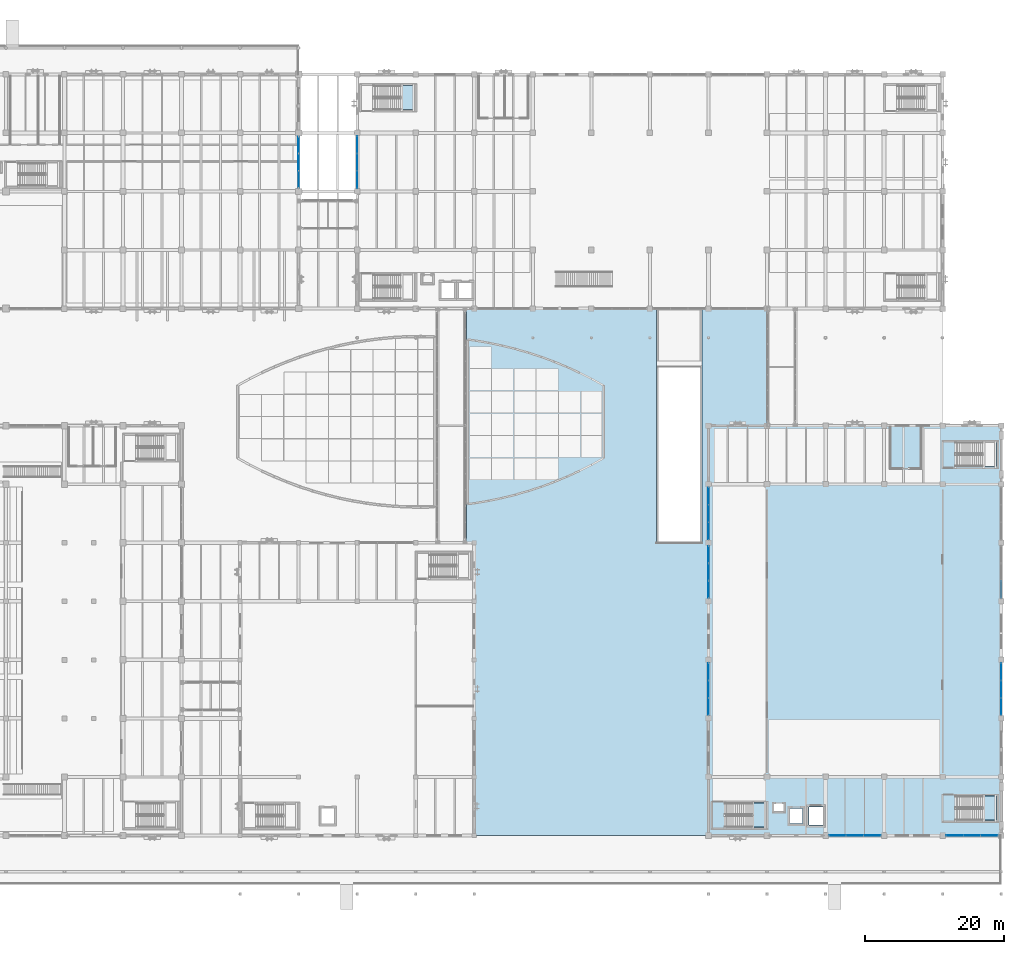
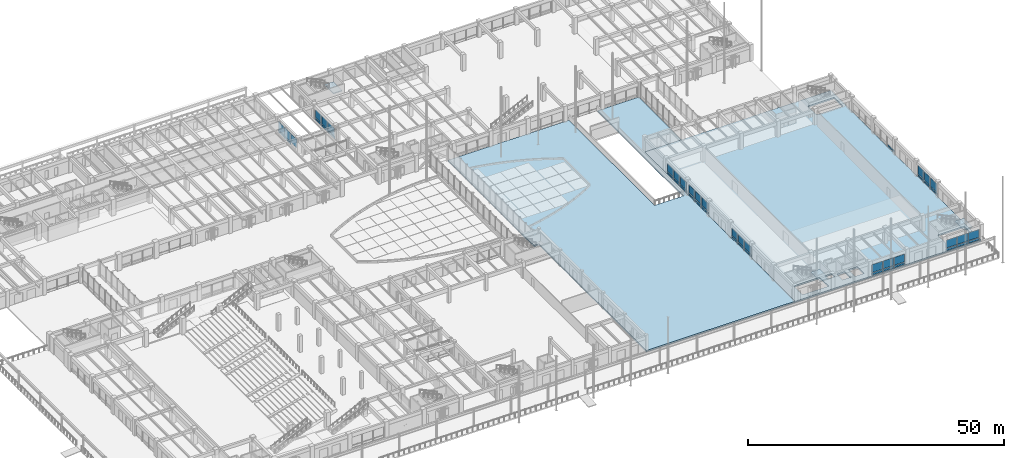
# One storey, part 69 of 135: 48 plates, 5 slabs, 12 elements without a shape of their own.
"""IFC4 building model written with IfcOpenShell, lengths in metres."""

import ifcopenshell
import ifcopenshell.guid

model = None  # the IFC model being written
_history = None  # IfcOwnerHistory: only IFC2X3 demands one
_inside = {}  # id of a spatial element -> (the spatial element, [elements in it])
_under = {}  # id of a project, library or spatial element -> (it, [spatial elements below it])
_declared = {}  # id of a project -> (the project, [libraries it declares])
_typed = {}  # id of a type object -> (the type object, [elements of that type])
_made_of = {}  # id of a material, layer set ... -> (it, [elements and type objects made of it])


def new_model(schema):
    """Start an empty IFC model of exactly this schema.

    Asked for "IFC4X3", IfcOpenShell would pick the latest addendum, in which some entities
    have other attributes; the version numbers below select the first issue.
    IFC2X3 requires an IfcOwnerHistory on every rooted entity: one is made here for all.
    """
    global model, _history
    if schema == "IFC4X3":
        model = ifcopenshell.file(schema_version=(4, 3, 0, 0))
    else:
        model = ifcopenshell.file(schema=schema)
    _inside.clear()
    _under.clear()
    _declared.clear()
    _typed.clear()
    _made_of.clear()
    _history = None
    if model.schema == "IFC2X3":
        org = make("IfcOrganization", Name="unknown")
        user = make(
            "IfcPersonAndOrganization",
            ThePerson=make("IfcPerson", FamilyName="unknown"),
            TheOrganization=org,
        )
        app = make(
            "IfcApplication",
            ApplicationDeveloper=org,
            Version="unknown",
            ApplicationFullName="unknown",
            ApplicationIdentifier="unknown",
        )
        _history = make(
            "IfcOwnerHistory",
            OwningUser=user,
            OwningApplication=app,
            ChangeAction="ADDED",
            CreationDate=0,
        )
    return model


def make(cls, **values):
    """One entity of the class cls with the attributes given. An attribute that is None is left unset."""
    return model.create_entity(
        cls, **{name: value for name, value in values.items() if value is not None}
    )


def rooted(cls, **values):
    """An entity with a GlobalId (a new one), such as an element, a storey or a relation."""
    return make(cls, GlobalId=ifcopenshell.guid.new(), OwnerHistory=_history, **values)


def si_unit(unit_type, name, prefix=None):
    """IfcSIUnit, for example si_unit("LENGTHUNIT", "METRE", prefix="MILLI")."""
    return make("IfcSIUnit", UnitType=unit_type, Prefix=prefix, Name=name)


def assignment(units):
    """IfcUnitAssignment: the units of a project."""
    return None if units is None else make("IfcUnitAssignment", Units=units)


def point(xyz):
    """IfcCartesianPoint."""
    return None if xyz is None else make("IfcCartesianPoint", Coordinates=xyz)


def direction(xyz):
    """IfcDirection."""
    return None if xyz is None else make("IfcDirection", DirectionRatios=xyz)


def frame(location, z_axis=None, x_axis=None):
    """IfcAxis2Placement3D, a coordinate frame: its origin and axes. An axis left out is left unset."""
    return make(
        "IfcAxis2Placement3D",
        Location=point(location),
        Axis=direction(z_axis),
        RefDirection=direction(x_axis),
    )


def frame_2d(location, x_axis=None):
    """IfcAxis2Placement2D, a coordinate frame in the plane: its origin and x axis."""
    return make(
        "IfcAxis2Placement2D", Location=point(location), RefDirection=direction(x_axis)
    )


def origin():
    """The frame at (0, 0, 0) with its axes left unset."""
    return frame((0.0, 0.0, 0.0))


def origin_2d():
    """The frame at (0, 0) in the plane with its x axis left unset."""
    return frame_2d((0.0, 0.0))


def place(relative_to, where):
    """IfcLocalPlacement: puts the frame where relative to a parent placement (None: the world)."""
    return make(
        "IfcLocalPlacement", PlacementRelTo=relative_to, RelativePlacement=where
    )


def context(
    kind, dimensions, precision=None, world=None, true_north=None, identifier=None
):
    """IfcGeometricRepresentationContext, for example the 3D "Model" context."""
    return make(
        "IfcGeometricRepresentationContext",
        ContextIdentifier=identifier,
        ContextType=kind,
        CoordinateSpaceDimension=dimensions,
        Precision=precision,
        WorldCoordinateSystem=world,
        TrueNorth=true_north,
    )


def subcontext(parent, identifier, kind, view, scale=None):
    """IfcGeometricRepresentationSubContext, for example "Body" below "Model"."""
    return make(
        "IfcGeometricRepresentationSubContext",
        ContextIdentifier=identifier,
        ContextType=kind,
        ParentContext=parent,
        TargetScale=scale,
        TargetView=view,
    )


def project(units=None, contexts=None):
    """IfcProject with its units and contexts."""
    return rooted(
        "IfcProject",
        Name="project",
        RepresentationContexts=contexts,
        UnitsInContext=assignment(units),
    )


def spatial(cls, under=None, at=None, **own):
    """A site, building, storey or space (cls), placed at a placement, below another one or the project."""
    s = rooted(cls, ObjectPlacement=at, **own)
    if under is not None:
        _under.setdefault(under.id(), (under, []))[1].append(s)
    return s


def polyline(points):
    """IfcPolyline through the points."""
    return make("IfcPolyline", Points=[point(p) for p in points])


def profile(cls, at=None, kind="AREA", **sizes):
    """A parametric profile (cls). Its sizes go by their IFC names, for example OverallWidth=200.0."""
    return make(cls, ProfileType=kind, Position=at, **sizes)


def rectangle(**sizes):
    """IfcRectangleProfileDef."""
    return profile("IfcRectangleProfileDef", **sizes)


def outline(outer, holes=None, kind="AREA"):
    """IfcArbitraryClosedProfileDef: a profile drawn as a closed curve; with holes, ...WithVoids."""
    if holes is None:
        return make("IfcArbitraryClosedProfileDef", ProfileType=kind, OuterCurve=outer)
    return make(
        "IfcArbitraryProfileDefWithVoids",
        ProfileType=kind,
        OuterCurve=outer,
        InnerCurves=holes,
    )


def extrude(swept, where, along, depth):
    """IfcExtrudedAreaSolid: the profile swept, set in the frame where, extruded along a direction by depth."""
    return make(
        "IfcExtrudedAreaSolid",
        SweptArea=swept,
        Position=where,
        ExtrudedDirection=direction(along),
        Depth=depth,
    )


def shape(context_of_items, identifier, shape_type, items):
    """IfcShapeRepresentation: the items that make up one representation, for example the "Body"."""
    return make(
        "IfcShapeRepresentation",
        ContextOfItems=context_of_items,
        RepresentationIdentifier=identifier,
        RepresentationType=shape_type,
        Items=items,
    )


def material(Name=None, Category=None):
    """IfcMaterial."""
    return make("IfcMaterial", Name=Name, Category=Category)


def layer(
    of_material, thickness, ventilated=None, Name=None, Category=None, Priority=None
):
    """IfcMaterialLayer: one layer of a wall or slab, of a material (None: an air gap)."""
    return make(
        "IfcMaterialLayer",
        Material=of_material,
        LayerThickness=thickness,
        IsVentilated=ventilated,
        Name=Name,
        Category=Category,
        Priority=Priority,
    )


def layer_set(layers, Name=None):
    """IfcMaterialLayerSet."""
    return make("IfcMaterialLayerSet", MaterialLayers=layers, LayerSetName=Name)


def made_of(thing, what):
    """Note that an element or type object is made of a material, layer set ...; save() writes the relation."""
    if what is not None:
        _made_of.setdefault(what.id(), (what, []))[1].append(thing)
    return thing


def type_object(cls, material=None, **own):
    """A type object (cls), such as IfcWallType, which elements share."""
    return made_of(rooted(cls, **own), material)


def element(
    cls,
    number,
    at=None,
    inside=None,
    cuts=None,
    type_object=None,
    material=None,
    context=None,
    identifier="Body",
    shape_type=None,
    held_by="IfcProductDefinitionShape",
    body=None,
    shapes=None,
    **own,
):
    """One element of the class cls, such as IfcWall. Its Tag is "e" and its number.

    at: its placement. inside: the storey or other place that contains it. cuts: it is an
    opening in that element (IfcRelVoidsElement). A single representation is given by context,
    identifier, shape_type and body (its items); several are given by shapes. held_by: the class
    of the entity that holds the representations. save() writes the other relations.
    """
    e = rooted(cls, Tag="e%d" % number, ObjectPlacement=at, **own)
    if body is not None:
        shapes = [shape(context, identifier, shape_type, body)]
    if shapes is not None:
        e.Representation = make(held_by, Representations=shapes)
    if inside is not None:
        _inside.setdefault(inside.id(), (inside, []))[1].append(e)
    if cuts is not None:
        rooted(
            "IfcRelVoidsElement", RelatingBuildingElement=cuts, RelatedOpeningElement=e
        )
    if type_object is not None:
        _typed.setdefault(type_object.id(), (type_object, []))[1].append(e)
    return made_of(e, material)


def aggregate(whole, parts):
    """IfcRelAggregates: a whole, such as a stair, and the parts it consists of."""
    return rooted("IfcRelAggregates", RelatingObject=whole, RelatedObjects=parts)


def save(model, path):
    """Write the relations noted so far, then the file.

    IfcRelAggregates (storeys below a building ...), IfcRelContainedInSpatialStructure (elements
    in a storey), IfcRelDefinesByType, IfcRelAssociatesMaterial and IfcRelDeclares: one each for
    every whole, place, type object, material and project.
    """
    for whole, parts in _under.values():
        aggregate(whole, parts)
    for where, things in _inside.values():
        rooted(
            "IfcRelContainedInSpatialStructure",
            RelatedElements=things,
            RelatingStructure=where,
        )
    for kind, things in _typed.values():
        rooted("IfcRelDefinesByType", RelatedObjects=things, RelatingType=kind)
    for what, things in _made_of.values():
        rooted("IfcRelAssociatesMaterial", RelatedObjects=things, RelatingMaterial=what)
    for by, libraries in _declared.values():
        rooted("IfcRelDeclares", RelatingContext=by, RelatedDefinitions=libraries)
    model.write(path)


model = new_model("IFC4")

# Units and contexts
model_context = context("Model", 3, precision=1e-05, world=origin(), true_north=direction((0.0, 1.0)))
body_context = subcontext(model_context, "Body", "Model", "MODEL_VIEW")
ifc_project = project(units=[si_unit("LENGTHUNIT", "METRE"), si_unit("AREAUNIT", "SQUARE_METRE"), si_unit("VOLUMEUNIT", "CUBIC_METRE"), si_unit("PLANEANGLEUNIT", "RADIAN"), si_unit("MASSUNIT", "GRAM", prefix="KILO")], contexts=[model_context])

# Site, building, storey
site_placement = place(None, origin())
site = spatial("IfcSite", under=ifc_project, at=site_placement, CompositionType="ELEMENT")
building_placement = place(site_placement, origin())
building = spatial("IfcBuilding", under=site, at=building_placement, Name="Cumbredor Promenade Congress Hotel", CompositionType="ELEMENT")
storey_placement = place(building_placement, origin())
storey = spatial("IfcBuildingStorey", under=building, at=storey_placement, Name="L00", CompositionType="ELEMENT", Elevation=0.0)

# Stair, slab
ifc_material_1 = material(Name="Concrete C40/50", Category="concrete")
stair_type = type_object("IfcStairType", Name="Protected Dog-Leg Exit Stair ST-T3 1650mm", PredefinedType="HALF_TURN_STAIR", material=ifc_material_1)
stair_1_placement = place(storey_placement, origin())
stair_1 = element("IfcStair", 1, at=stair_1_placement, inside=storey, type_object=stair_type, Name="L00 Protected Exit Stair ST-08", PredefinedType="HALF_TURN_STAIR")
ifc_layer_1 = layer(ifc_material_1, 0.199951171875, Name="Concrete C40/50", Category="concrete")
ifc_layer_set_1 = layer_set([ifc_layer_1], Name="Concrete C40/50")
slab_type_1 = type_object("IfcSlabType", Name="Concrete Stair Landing Slab 200mm", PredefinedType="LANDING", material=ifc_layer_set_1)
slab_1_placement = place(storey_placement, frame((0.0, 0.0, 1.760009765625)))
slab_1 = element("IfcSlab", 2, at=slab_1_placement, type_object=slab_type_1, Name="ST-08 landing 1", PredefinedType="LANDING", context=body_context, shape_type="SweptSolid", body=[
    extrude(outline(polyline([(149.050048828125, 9.60009765625), (151.050048828125, 9.60009765625), (151.050048828125, 13.050048828125), (149.050048828125, 13.050048828125), (149.050048828125, 9.60009765625)])), origin(), (0.0, 0.0, 1.0), 0.199951171875),
])
aggregate(stair_1, [slab_1])

stair_2_placement = place(storey_placement, origin())
stair_2 = element("IfcStair", 3, at=stair_2_placement, inside=storey, type_object=stair_type, Name="L00 Protected Exit Stair ST-09", PredefinedType="HALF_TURN_STAIR")
slab_2_placement = place(storey_placement, frame((0.0, 0.0, 1.760009765625)))
slab_2 = element("IfcSlab", 4, at=slab_2_placement, type_object=slab_type_1, Name="ST-09 landing 1", PredefinedType="LANDING", context=body_context, shape_type="SweptSolid", body=[
    extrude(outline(polyline([(182.14990234375, 10.60009765625), (184.14990234375, 10.60009765625), (184.14990234375, 14.050048828125), (182.14990234375, 14.050048828125), (182.14990234375, 10.60009765625)])), origin(), (0.0, 0.0, 1.0), 0.199951171875),
])
aggregate(stair_2, [slab_2])

stair_3_placement = place(storey_placement, origin())
stair_3 = element("IfcStair", 5, at=stair_3_placement, inside=storey, type_object=stair_type, Name="L00 Protected Exit Stair ST-15", PredefinedType="HALF_TURN_STAIR")
slab_3_placement = place(storey_placement, frame((0.0, 0.0, 1.760009765625)))
slab_3 = element("IfcSlab", 6, at=slab_3_placement, type_object=slab_type_1, Name="ST-15 landing 1", PredefinedType="LANDING", context=body_context, shape_type="SweptSolid", body=[
    extrude(outline(polyline([(98.64990234375, 112.550048828125), (100.64990234375, 112.550048828125), (100.64990234375, 116.0), (98.64990234375, 116.0), (98.64990234375, 112.550048828125)])), origin(), (0.0, 0.0, 1.0), 0.199951171875),
])
aggregate(stair_3, [slab_3])

# Curtain wall, plates
ifc_material_2 = material(Name="Thermally broken anodized aluminium and low-E glass", Category="aluminium")
curtain_wall_type = type_object("IfcCurtainWallType", Name="Unitised Grand Foyer Curtain Wall CW-04", PredefinedType="NOTDEFINED", material=ifc_material_2)
curtain_wall_1_placement = place(storey_placement, origin())
curtain_wall_1 = element("IfcCurtainWall", 7, at=curtain_wall_1_placement, inside=storey, type_object=curtain_wall_type, Name="L00 Grand Ballroom Pavilion South Curtain Wall 5", PredefinedType="NOTDEFINED")
ifc_material_3 = material(Name="Laminated low-E solar-control glass", Category="glass")
ifc_layer_2 = layer(ifc_material_3, 0.028076171875, Name="Laminated low-E solar-control glass", Category="glass")
ifc_layer_set_2 = layer_set([ifc_layer_2], Name="Laminated low-E solar-control glass")
plate_type_1 = type_object("IfcPlateType", Name="Glazed Vision Panel PNL-01", PredefinedType="CURTAIN_PANEL", material=ifc_layer_set_2)
plate_1_placement = place(storey_placement, frame((178.103271484375, 8.39990234375, 0.78515625), z_axis=(0.0, 0.0, 1.0), x_axis=(1.0, 0.0, 0.0)))
plate_1 = element("IfcPlate", 8, at=plate_1_placement, type_object=plate_type_1, Name="L00 Grand Ballroom Pavilion South Curtain Wall 5 Glazing Panel 1.2", PredefinedType="CURTAIN_PANEL", context=body_context, shape_type="SweptSolid", body=[
    extrude(rectangle(XDim=2.431640625, YDim=0.028076171875, at=origin_2d()), origin(), (0.0, 0.0, 1.0), 1.909912109375),
])
plate_2_placement = place(storey_placement, frame((180.60009765625, 8.39990234375, 0.78515625), z_axis=(0.0, 0.0, 1.0), x_axis=(1.0, 0.0, 0.0)))
plate_2 = element("IfcPlate", 9, at=plate_2_placement, type_object=plate_type_1, Name="L00 Grand Ballroom Pavilion South Curtain Wall 5 Glazing Panel 2.2", PredefinedType="CURTAIN_PANEL", context=body_context, shape_type="SweptSolid", body=[
    extrude(rectangle(XDim=2.431640625, YDim=0.028076171875, at=origin_2d()), origin(), (0.0, 0.0, 1.0), 1.909912109375),
])
plate_3_placement = place(storey_placement, frame((183.0966796875, 8.39990234375, 0.78515625), z_axis=(0.0, 0.0, 1.0), x_axis=(1.0, 0.0, 0.0)))
plate_3 = element("IfcPlate", 10, at=plate_3_placement, type_object=plate_type_1, Name="L00 Grand Ballroom Pavilion South Curtain Wall 5 Glazing Panel 3.2", PredefinedType="CURTAIN_PANEL", context=body_context, shape_type="SweptSolid", body=[
    extrude(rectangle(XDim=2.431640625, YDim=0.028076171875, at=origin_2d()), origin(), (0.0, 0.0, 1.0), 1.909912109375),
])

curtain_wall_2_placement = place(storey_placement, origin())
curtain_wall_2 = element("IfcCurtainWall", 11, at=curtain_wall_2_placement, inside=storey, type_object=curtain_wall_type, Name="L00 Grand Ballroom Pavilion West Curtain Wall 6", PredefinedType="NOTDEFINED")
plate_4_placement = place(storey_placement, frame((142.800048828125, 52.103515625, 0.78515625), z_axis=(0.0, 0.0, 1.0), x_axis=(0.0, 1.0, 0.0)))
plate_4 = element("IfcPlate", 12, at=plate_4_placement, type_object=plate_type_1, Name="L00 Grand Ballroom Pavilion West Curtain Wall 6 Glazing Panel 1.2", PredefinedType="CURTAIN_PANEL", context=body_context, shape_type="SweptSolid", body=[
    extrude(rectangle(XDim=2.431640625, YDim=0.028076171875, at=origin_2d()), origin(), (0.0, 0.0, 1.0), 1.860107421875),
])
plate_5_placement = place(storey_placement, frame((142.800048828125, 54.60009765625, 0.78515625), z_axis=(0.0, 0.0, 1.0), x_axis=(0.0, 1.0, 0.0)))
plate_5 = element("IfcPlate", 13, at=plate_5_placement, type_object=plate_type_1, Name="L00 Grand Ballroom Pavilion West Curtain Wall 6 Glazing Panel 2.2", PredefinedType="CURTAIN_PANEL", context=body_context, shape_type="SweptSolid", body=[
    extrude(rectangle(XDim=2.431640625, YDim=0.028076171875, at=origin_2d()), origin(), (0.0, 0.0, 1.0), 1.860107421875),
])
plate_6_placement = place(storey_placement, frame((142.800048828125, 57.0966796875, 0.78515625), z_axis=(0.0, 0.0, 1.0), x_axis=(0.0, 1.0, 0.0)))
plate_6 = element("IfcPlate", 14, at=plate_6_placement, type_object=plate_type_1, Name="L00 Grand Ballroom Pavilion West Curtain Wall 6 Glazing Panel 3.2", PredefinedType="CURTAIN_PANEL", context=body_context, shape_type="SweptSolid", body=[
    extrude(rectangle(XDim=2.431640625, YDim=0.028076171875, at=origin_2d()), origin(), (0.0, 0.0, 1.0), 1.860107421875),
])

curtain_wall_3_placement = place(storey_placement, origin())
curtain_wall_3 = element("IfcCurtainWall", 15, at=curtain_wall_3_placement, inside=storey, type_object=curtain_wall_type, Name="L00 Pre-Function and Breakout Meeting Forum West Curtain Wall 3", PredefinedType="NOTDEFINED")
plate_7_placement = place(storey_placement, frame((92.39990234375, 102.50341796875, 0.78515625), z_axis=(0.0, 0.0, 1.0), x_axis=(0.0, 1.0, 0.0)))
plate_7 = element("IfcPlate", 16, at=plate_7_placement, type_object=plate_type_1, Name="L00 Pre-Function and Breakout Meeting Forum West Curtain Wall 3 Glazing Panel 1.2", PredefinedType="CURTAIN_PANEL", context=body_context, shape_type="SweptSolid", body=[
    extrude(rectangle(XDim=2.431640625, YDim=0.028076171875, at=origin_2d()), origin(), (0.0, 0.0, 1.0), 1.860107421875),
])
plate_8_placement = place(storey_placement, frame((92.39990234375, 105.0, 0.78515625), z_axis=(0.0, 0.0, 1.0), x_axis=(0.0, 1.0, 0.0)))
plate_8 = element("IfcPlate", 17, at=plate_8_placement, type_object=plate_type_1, Name="L00 Pre-Function and Breakout Meeting Forum West Curtain Wall 3 Glazing Panel 2.2", PredefinedType="CURTAIN_PANEL", context=body_context, shape_type="SweptSolid", body=[
    extrude(rectangle(XDim=2.431640625, YDim=0.028076171875, at=origin_2d()), origin(), (0.0, 0.0, 1.0), 1.860107421875),
])
plate_9_placement = place(storey_placement, frame((92.39990234375, 107.49658203125, 0.78515625), z_axis=(0.0, 0.0, 1.0), x_axis=(0.0, 1.0, 0.0)))
plate_9 = element("IfcPlate", 18, at=plate_9_placement, type_object=plate_type_1, Name="L00 Pre-Function and Breakout Meeting Forum West Curtain Wall 3 Glazing Panel 3.2", PredefinedType="CURTAIN_PANEL", context=body_context, shape_type="SweptSolid", body=[
    extrude(rectangle(XDim=2.431640625, YDim=0.028076171875, at=origin_2d()), origin(), (0.0, 0.0, 1.0), 1.860107421875),
])

curtain_wall_4_placement = place(storey_placement, origin())
curtain_wall_4 = element("IfcCurtainWall", 19, at=curtain_wall_4_placement, inside=storey, type_object=curtain_wall_type, Name="L00 Grand Ballroom Pavilion West Curtain Wall 3", PredefinedType="NOTDEFINED")
ifc_layer_3 = layer(ifc_material_3, 0.031982421875, Name="Laminated low-E solar-control glass", Category="glass")
ifc_layer_set_3 = layer_set([ifc_layer_3], Name="Laminated low-E solar-control glass")
plate_type_2 = type_object("IfcPlateType", Name="Glazed Vision Panel PNL-02", PredefinedType="CURTAIN_PANEL", material=ifc_layer_set_3)
plate_10_placement = place(storey_placement, frame((142.800048828125, 26.9033203125, 0.794921875), z_axis=(0.0, 0.0, 1.0), x_axis=(0.0, 1.0, 0.0)))
plate_10 = element("IfcPlate", 20, at=plate_10_placement, type_object=plate_type_2, Name="L00 Grand Ballroom Pavilion West Curtain Wall 3 Glazing Panel 1.2", PredefinedType="CURTAIN_PANEL", context=body_context, shape_type="SweptSolid", body=[
    extrude(rectangle(XDim=2.421630859375, YDim=0.031982421875, at=origin_2d()), origin(), (0.0, 0.0, 1.0), 1.72998046875),
])
plate_11_placement = place(storey_placement, frame((142.800048828125, 29.39990234375, 0.794921875), z_axis=(0.0, 0.0, 1.0), x_axis=(0.0, 1.0, 0.0)))
plate_11 = element("IfcPlate", 21, at=plate_11_placement, type_object=plate_type_2, Name="L00 Grand Ballroom Pavilion West Curtain Wall 3 Glazing Panel 2.2", PredefinedType="CURTAIN_PANEL", context=body_context, shape_type="SweptSolid", body=[
    extrude(rectangle(XDim=2.421630859375, YDim=0.031982421875, at=origin_2d()), origin(), (0.0, 0.0, 1.0), 1.72998046875),
])
plate_12_placement = place(storey_placement, frame((142.800048828125, 31.896728515625, 0.794921875), z_axis=(0.0, 0.0, 1.0), x_axis=(0.0, 1.0, 0.0)))
plate_12 = element("IfcPlate", 22, at=plate_12_placement, type_object=plate_type_2, Name="L00 Grand Ballroom Pavilion West Curtain Wall 3 Glazing Panel 3.2", PredefinedType="CURTAIN_PANEL", context=body_context, shape_type="SweptSolid", body=[
    extrude(rectangle(XDim=2.421630859375, YDim=0.031982421875, at=origin_2d()), origin(), (0.0, 0.0, 1.0), 1.72998046875),
])

curtain_wall_5_placement = place(storey_placement, origin())
curtain_wall_5 = element("IfcCurtainWall", 23, at=curtain_wall_5_placement, inside=storey, type_object=curtain_wall_type, Name="L00 Grand Ballroom Pavilion East Curtain Wall 3", PredefinedType="NOTDEFINED")
plate_13_placement = place(storey_placement, frame((184.800048828125, 26.9033203125, 0.794921875), z_axis=(0.0, 0.0, 1.0), x_axis=(0.0, 1.0, 0.0)))
plate_13 = element("IfcPlate", 24, at=plate_13_placement, type_object=plate_type_2, Name="L00 Grand Ballroom Pavilion East Curtain Wall 3 Glazing Panel 1.2", PredefinedType="CURTAIN_PANEL", context=body_context, shape_type="SweptSolid", body=[
    extrude(rectangle(XDim=2.421630859375, YDim=0.031982421875, at=origin_2d()), origin(), (0.0, 0.0, 1.0), 2.030029296875),
])
plate_14_placement = place(storey_placement, frame((184.800048828125, 29.39990234375, 0.794921875), z_axis=(0.0, 0.0, 1.0), x_axis=(0.0, 1.0, 0.0)))
plate_14 = element("IfcPlate", 25, at=plate_14_placement, type_object=plate_type_2, Name="L00 Grand Ballroom Pavilion East Curtain Wall 3 Glazing Panel 2.2", PredefinedType="CURTAIN_PANEL", context=body_context, shape_type="SweptSolid", body=[
    extrude(rectangle(XDim=2.421630859375, YDim=0.031982421875, at=origin_2d()), origin(), (0.0, 0.0, 1.0), 2.030029296875),
])
plate_15_placement = place(storey_placement, frame((184.800048828125, 31.896728515625, 0.794921875), z_axis=(0.0, 0.0, 1.0), x_axis=(0.0, 1.0, 0.0)))
plate_15 = element("IfcPlate", 26, at=plate_15_placement, type_object=plate_type_2, Name="L00 Grand Ballroom Pavilion East Curtain Wall 3 Glazing Panel 3.2", PredefinedType="CURTAIN_PANEL", context=body_context, shape_type="SweptSolid", body=[
    extrude(rectangle(XDim=2.421630859375, YDim=0.031982421875, at=origin_2d()), origin(), (0.0, 0.0, 1.0), 2.030029296875),
])

curtain_wall_6_placement = place(storey_placement, origin())
curtain_wall_6 = element("IfcCurtainWall", 27, at=curtain_wall_6_placement, inside=storey, type_object=curtain_wall_type, Name="L00 Stepped Congress Hotel Wing East Curtain Wall 3", PredefinedType="NOTDEFINED")
plate_16_placement = place(storey_placement, frame((84.0, 102.53662109375, 0.794921875), z_axis=(0.0, 0.0, 1.0), x_axis=(0.0, 1.0, 0.0)))
plate_16 = element("IfcPlate", 28, at=plate_16_placement, type_object=plate_type_2, Name="L00 Stepped Congress Hotel Wing East Curtain Wall 3 Glazing Panel 1.2", PredefinedType="CURTAIN_PANEL", context=body_context, shape_type="SweptSolid", body=[
    extrude(rectangle(XDim=2.38818359375, YDim=0.031982421875, at=origin_2d()), origin(), (0.0, 0.0, 1.0), 2.030029296875),
])
plate_17_placement = place(storey_placement, frame((84.0, 105.0, 0.794921875), z_axis=(0.0, 0.0, 1.0), x_axis=(0.0, 1.0, 0.0)))
plate_17 = element("IfcPlate", 29, at=plate_17_placement, type_object=plate_type_2, Name="L00 Stepped Congress Hotel Wing East Curtain Wall 3 Glazing Panel 2.2", PredefinedType="CURTAIN_PANEL", context=body_context, shape_type="SweptSolid", body=[
    extrude(rectangle(XDim=2.388427734375, YDim=0.031982421875, at=origin_2d()), origin(), (0.0, 0.0, 1.0), 2.030029296875),
])
plate_18_placement = place(storey_placement, frame((84.0, 107.46337890625, 0.794921875), z_axis=(0.0, 0.0, 1.0), x_axis=(0.0, 1.0, 0.0)))
plate_18 = element("IfcPlate", 30, at=plate_18_placement, type_object=plate_type_2, Name="L00 Stepped Congress Hotel Wing East Curtain Wall 3 Glazing Panel 3.2", PredefinedType="CURTAIN_PANEL", context=body_context, shape_type="SweptSolid", body=[
    extrude(rectangle(XDim=2.38818359375, YDim=0.031982421875, at=origin_2d()), origin(), (0.0, 0.0, 1.0), 2.030029296875),
])

curtain_wall_7_placement = place(storey_placement, origin())
curtain_wall_7 = element("IfcCurtainWall", 31, at=curtain_wall_7_placement, inside=storey, type_object=curtain_wall_type, Name="L00 Grand Ballroom Pavilion South Curtain Wall 3", PredefinedType="NOTDEFINED")
ifc_layer_4 = layer(ifc_material_3, 0.028076171875, Name="Laminated low-E solar-control glass", Category="glass")
ifc_layer_set_4 = layer_set([ifc_layer_4], Name="Laminated low-E solar-control glass")
plate_type_3 = type_object("IfcPlateType", Name="Glazed Vision Panel PNL-03", PredefinedType="CURTAIN_PANEL", material=ifc_layer_set_4)
plate_19_placement = place(storey_placement, frame((161.30322265625, 8.39990234375, 0.81005859375), z_axis=(0.0, 0.0, 1.0), x_axis=(1.0, 0.0, 0.0)))
plate_19 = element("IfcPlate", 32, at=plate_19_placement, type_object=plate_type_3, Name="L00 Grand Ballroom Pavilion South Curtain Wall 3 Glazing Panel 1.2", PredefinedType="CURTAIN_PANEL", context=body_context, shape_type="SweptSolid", body=[
    extrude(rectangle(XDim=2.416748046875, YDim=0.028076171875, at=origin_2d()), origin(), (0.0, 0.0, 1.0), 1.840087890625),
])
plate_20_placement = place(storey_placement, frame((163.800048828125, 8.39990234375, 0.81005859375), z_axis=(0.0, 0.0, 1.0), x_axis=(1.0, 0.0, 0.0)))
plate_20 = element("IfcPlate", 33, at=plate_20_placement, type_object=plate_type_3, Name="L00 Grand Ballroom Pavilion South Curtain Wall 3 Glazing Panel 2.2", PredefinedType="CURTAIN_PANEL", context=body_context, shape_type="SweptSolid", body=[
    extrude(rectangle(XDim=2.41650390625, YDim=0.028076171875, at=origin_2d()), origin(), (0.0, 0.0, 1.0), 1.840087890625),
])
plate_21_placement = place(storey_placement, frame((166.296630859375, 8.39990234375, 0.81005859375), z_axis=(0.0, 0.0, 1.0), x_axis=(1.0, 0.0, 0.0)))
plate_21 = element("IfcPlate", 34, at=plate_21_placement, type_object=plate_type_3, Name="L00 Grand Ballroom Pavilion South Curtain Wall 3 Glazing Panel 3.2", PredefinedType="CURTAIN_PANEL", context=body_context, shape_type="SweptSolid", body=[
    extrude(rectangle(XDim=2.416748046875, YDim=0.028076171875, at=origin_2d()), origin(), (0.0, 0.0, 1.0), 1.840087890625),
])

curtain_wall_8_placement = place(storey_placement, origin())
curtain_wall_8 = element("IfcCurtainWall", 35, at=curtain_wall_8_placement, inside=storey, type_object=curtain_wall_type, Name="L00 Grand Ballroom Pavilion West Curtain Wall 5", PredefinedType="NOTDEFINED")
plate_22_placement = place(storey_placement, frame((142.800048828125, 43.703369140625, 0.81005859375), z_axis=(0.0, 0.0, 1.0), x_axis=(0.0, 1.0, 0.0)))
plate_22 = element("IfcPlate", 36, at=plate_22_placement, type_object=plate_type_3, Name="L00 Grand Ballroom Pavilion West Curtain Wall 5 Glazing Panel 1.2", PredefinedType="CURTAIN_PANEL", context=body_context, shape_type="SweptSolid", body=[
    extrude(rectangle(XDim=2.416748046875, YDim=0.028076171875, at=origin_2d()), origin(), (0.0, 0.0, 1.0), 1.889892578125),
])
plate_23_placement = place(storey_placement, frame((142.800048828125, 46.199951171875, 0.81005859375), z_axis=(0.0, 0.0, 1.0), x_axis=(0.0, 1.0, 0.0)))
plate_23 = element("IfcPlate", 37, at=plate_23_placement, type_object=plate_type_3, Name="L00 Grand Ballroom Pavilion West Curtain Wall 5 Glazing Panel 2.2", PredefinedType="CURTAIN_PANEL", context=body_context, shape_type="SweptSolid", body=[
    extrude(rectangle(XDim=2.41650390625, YDim=0.028076171875, at=origin_2d()), origin(), (0.0, 0.0, 1.0), 1.889892578125),
])
plate_24_placement = place(storey_placement, frame((142.800048828125, 48.69677734375, 0.81005859375), z_axis=(0.0, 0.0, 1.0), x_axis=(0.0, 1.0, 0.0)))
plate_24 = element("IfcPlate", 38, at=plate_24_placement, type_object=plate_type_3, Name="L00 Grand Ballroom Pavilion West Curtain Wall 5 Glazing Panel 3.2", PredefinedType="CURTAIN_PANEL", context=body_context, shape_type="SweptSolid", body=[
    extrude(rectangle(XDim=2.416748046875, YDim=0.028076171875, at=origin_2d()), origin(), (0.0, 0.0, 1.0), 1.889892578125),
])

# Slab
ifc_layer_5 = layer(ifc_material_1, 0.35009765625, Name="Concrete C40/50", Category="concrete")
ifc_layer_set_5 = layer_set([ifc_layer_5], Name="Concrete C40/50")
slab_type_2 = type_object("IfcSlabType", Name="Ground Floor Slab 350mm", PredefinedType="FLOOR", material=ifc_layer_set_5)
slab_4_placement = place(storey_placement, frame((0.0, 0.0, -0.35009765625)))
element("IfcSlab", 39, at=slab_4_placement, inside=storey, type_object=slab_type_2, Name="L00 Grand Ballroom Pavilion Floor Slab", PredefinedType="FLOOR", context=body_context, shape_type="SweptSolid", body=[
    extrude(outline(polyline([(142.800048828125, 8.39990234375), (184.800048828125, 8.39990234375), (184.800048828125, 67.199951171875), (142.800048828125, 67.199951171875), (142.800048828125, 8.39990234375)]), holes=[polyline([(145.14990234375, 9.60009765625), (151.050048828125, 9.60009765625), (151.050048828125, 13.050048828125), (145.14990234375, 13.050048828125), (145.14990234375, 9.60009765625)]), polyline([(178.25, 10.60009765625), (184.14990234375, 10.60009765625), (184.14990234375, 14.050048828125), (178.25, 14.050048828125), (178.25, 10.60009765625)]), polyline([(178.25, 61.35009765625), (184.14990234375, 61.35009765625), (184.14990234375, 64.800048828125), (178.25, 64.800048828125), (178.25, 61.35009765625)]), polyline([(154.5, 10.10009765625), (156.300048828125, 10.10009765625), (156.300048828125, 12.300048828125), (154.5, 12.300048828125), (154.5, 10.10009765625)]), polyline([(157.199951171875, 9.89990234375), (159.199951171875, 9.89990234375), (159.199951171875, 12.5), (157.199951171875, 12.5), (157.199951171875, 9.89990234375)]), polyline([(152.10009765625, 11.800048828125), (153.699951171875, 11.800048828125), (153.699951171875, 13.0), (152.10009765625, 13.0), (152.10009765625, 11.800048828125)])]), origin(), (0.0, 0.0, 1.0), 0.35009765625),
])

# Plate
ifc_material_4 = material(Name="Thermally broken anodized aluminium", Category="aluminium")
ifc_layer_6 = layer(ifc_material_4, 0.0400390625, Name="Thermally broken anodized aluminium", Category="aluminium")
ifc_layer_set_6 = layer_set([ifc_layer_6], Name="Thermally broken anodized aluminium")
plate_type_4 = type_object("IfcPlateType", Name="Insulated Spandrel Panel PNL-05", PredefinedType="CURTAIN_PANEL", material=ifc_layer_set_6)
plate_25_placement = place(storey_placement, frame((161.30322265625, 8.39990234375, 0.18017578125), z_axis=(0.0, 0.0, 1.0), x_axis=(1.0, 0.0, 0.0)))
plate_25 = element("IfcPlate", 40, at=plate_25_placement, type_object=plate_type_4, Name="L00 Grand Ballroom Pavilion South Curtain Wall 3 Spandrel Panel 1.1", PredefinedType="CURTAIN_PANEL", context=body_context, shape_type="SweptSolid", body=[
    extrude(rectangle(XDim=2.416748046875, YDim=0.0400390625, at=origin_2d()), origin(), (0.0, 0.0, 1.0), 0.449951171875),
])

plate_26_placement = place(storey_placement, frame((163.800048828125, 8.39990234375, 0.18017578125), z_axis=(0.0, 0.0, 1.0), x_axis=(1.0, 0.0, 0.0)))
plate_26 = element("IfcPlate", 41, at=plate_26_placement, type_object=plate_type_4, Name="L00 Grand Ballroom Pavilion South Curtain Wall 3 Spandrel Panel 2.1", PredefinedType="CURTAIN_PANEL", context=body_context, shape_type="SweptSolid", body=[
    extrude(rectangle(XDim=2.41650390625, YDim=0.0400390625, at=origin_2d()), origin(), (0.0, 0.0, 1.0), 0.449951171875),
])

plate_27_placement = place(storey_placement, frame((166.296630859375, 8.39990234375, 0.18017578125), z_axis=(0.0, 0.0, 1.0), x_axis=(1.0, 0.0, 0.0)))
plate_27 = element("IfcPlate", 42, at=plate_27_placement, type_object=plate_type_4, Name="L00 Grand Ballroom Pavilion South Curtain Wall 3 Spandrel Panel 3.1", PredefinedType="CURTAIN_PANEL", context=body_context, shape_type="SweptSolid", body=[
    extrude(rectangle(XDim=2.416748046875, YDim=0.0400390625, at=origin_2d()), origin(), (0.0, 0.0, 1.0), 0.449951171875),
])

aggregate(curtain_wall_7, [plate_25, plate_19, plate_26, plate_20, plate_27, plate_21])

plate_28_placement = place(storey_placement, frame((142.800048828125, 26.9033203125, 0.14501953125), z_axis=(0.0, 0.0, 1.0), x_axis=(0.0, 1.0, 0.0)))
plate_28 = element("IfcPlate", 43, at=plate_28_placement, type_object=plate_type_4, Name="L00 Grand Ballroom Pavilion West Curtain Wall 3 Spandrel Panel 1.1", PredefinedType="CURTAIN_PANEL", context=body_context, shape_type="SweptSolid", body=[
    extrude(rectangle(XDim=2.421630859375, YDim=0.0400390625, at=origin_2d()), origin(), (0.0, 0.0, 1.0), 0.5),
])

plate_29_placement = place(storey_placement, frame((142.800048828125, 29.39990234375, 0.14501953125), z_axis=(0.0, 0.0, 1.0), x_axis=(0.0, 1.0, 0.0)))
plate_29 = element("IfcPlate", 44, at=plate_29_placement, type_object=plate_type_4, Name="L00 Grand Ballroom Pavilion West Curtain Wall 3 Spandrel Panel 2.1", PredefinedType="CURTAIN_PANEL", context=body_context, shape_type="SweptSolid", body=[
    extrude(rectangle(XDim=2.421630859375, YDim=0.0400390625, at=origin_2d()), origin(), (0.0, 0.0, 1.0), 0.5),
])

plate_30_placement = place(storey_placement, frame((142.800048828125, 31.896728515625, 0.14501953125), z_axis=(0.0, 0.0, 1.0), x_axis=(0.0, 1.0, 0.0)))
plate_30 = element("IfcPlate", 45, at=plate_30_placement, type_object=plate_type_4, Name="L00 Grand Ballroom Pavilion West Curtain Wall 3 Spandrel Panel 3.1", PredefinedType="CURTAIN_PANEL", context=body_context, shape_type="SweptSolid", body=[
    extrude(rectangle(XDim=2.421630859375, YDim=0.0400390625, at=origin_2d()), origin(), (0.0, 0.0, 1.0), 0.5),
])

aggregate(curtain_wall_4, [plate_28, plate_10, plate_29, plate_11, plate_30, plate_12])

plate_31_placement = place(storey_placement, frame((142.800048828125, 52.103515625, 0.135009765625), z_axis=(0.0, 0.0, 1.0), x_axis=(0.0, 1.0, 0.0)))
plate_31 = element("IfcPlate", 46, at=plate_31_placement, type_object=plate_type_4, Name="L00 Grand Ballroom Pavilion West Curtain Wall 6 Spandrel Panel 1.1", PredefinedType="CURTAIN_PANEL", context=body_context, shape_type="SweptSolid", body=[
    extrude(rectangle(XDim=2.431640625, YDim=0.0400390625, at=origin_2d()), origin(), (0.0, 0.0, 1.0), 0.52001953125),
])

plate_32_placement = place(storey_placement, frame((142.800048828125, 54.60009765625, 0.135009765625), z_axis=(0.0, 0.0, 1.0), x_axis=(0.0, 1.0, 0.0)))
plate_32 = element("IfcPlate", 47, at=plate_32_placement, type_object=plate_type_4, Name="L00 Grand Ballroom Pavilion West Curtain Wall 6 Spandrel Panel 2.1", PredefinedType="CURTAIN_PANEL", context=body_context, shape_type="SweptSolid", body=[
    extrude(rectangle(XDim=2.431640625, YDim=0.0400390625, at=origin_2d()), origin(), (0.0, 0.0, 1.0), 0.52001953125),
])

plate_33_placement = place(storey_placement, frame((142.800048828125, 57.0966796875, 0.135009765625), z_axis=(0.0, 0.0, 1.0), x_axis=(0.0, 1.0, 0.0)))
plate_33 = element("IfcPlate", 48, at=plate_33_placement, type_object=plate_type_4, Name="L00 Grand Ballroom Pavilion West Curtain Wall 6 Spandrel Panel 3.1", PredefinedType="CURTAIN_PANEL", context=body_context, shape_type="SweptSolid", body=[
    extrude(rectangle(XDim=2.431640625, YDim=0.0400390625, at=origin_2d()), origin(), (0.0, 0.0, 1.0), 0.52001953125),
])

aggregate(curtain_wall_2, [plate_31, plate_4, plate_32, plate_5, plate_33, plate_6])

# Curtain wall, plate
curtain_wall_9_placement = place(storey_placement, origin())
curtain_wall_9 = element("IfcCurtainWall", 49, at=curtain_wall_9_placement, inside=storey, type_object=curtain_wall_type, Name="L00 Grand Ballroom Pavilion East Curtain Wall 5", PredefinedType="NOTDEFINED")
plate_34_placement = place(storey_placement, frame((184.800048828125, 43.703369140625, 0.18017578125), z_axis=(0.0, 0.0, 1.0), x_axis=(0.0, 1.0, 0.0)))
plate_34 = element("IfcPlate", 50, at=plate_34_placement, type_object=plate_type_4, Name="L00 Grand Ballroom Pavilion East Curtain Wall 5 Spandrel Panel 1.1", PredefinedType="CURTAIN_PANEL", context=body_context, shape_type="SweptSolid", body=[
    extrude(rectangle(XDim=2.416748046875, YDim=0.0400390625, at=origin_2d()), origin(), (0.0, 0.0, 1.0), 0.449951171875),
])
aggregate(curtain_wall_9, [plate_34])

# Plate
plate_35_placement = place(storey_placement, frame((92.39990234375, 102.50341796875, 0.135009765625), z_axis=(0.0, 0.0, 1.0), x_axis=(0.0, 1.0, 0.0)))
plate_35 = element("IfcPlate", 51, at=plate_35_placement, type_object=plate_type_4, Name="L00 Pre-Function and Breakout Meeting Forum West Curtain Wall 3 Spandrel Panel 1.1", PredefinedType="CURTAIN_PANEL", context=body_context, shape_type="SweptSolid", body=[
    extrude(rectangle(XDim=2.431640625, YDim=0.0400390625, at=origin_2d()), origin(), (0.0, 0.0, 1.0), 0.52001953125),
])

plate_36_placement = place(storey_placement, frame((92.39990234375, 105.0, 0.135009765625), z_axis=(0.0, 0.0, 1.0), x_axis=(0.0, 1.0, 0.0)))
plate_36 = element("IfcPlate", 52, at=plate_36_placement, type_object=plate_type_4, Name="L00 Pre-Function and Breakout Meeting Forum West Curtain Wall 3 Spandrel Panel 2.1", PredefinedType="CURTAIN_PANEL", context=body_context, shape_type="SweptSolid", body=[
    extrude(rectangle(XDim=2.431640625, YDim=0.0400390625, at=origin_2d()), origin(), (0.0, 0.0, 1.0), 0.52001953125),
])

plate_37_placement = place(storey_placement, frame((92.39990234375, 107.49658203125, 0.135009765625), z_axis=(0.0, 0.0, 1.0), x_axis=(0.0, 1.0, 0.0)))
plate_37 = element("IfcPlate", 53, at=plate_37_placement, type_object=plate_type_4, Name="L00 Pre-Function and Breakout Meeting Forum West Curtain Wall 3 Spandrel Panel 3.1", PredefinedType="CURTAIN_PANEL", context=body_context, shape_type="SweptSolid", body=[
    extrude(rectangle(XDim=2.431640625, YDim=0.0400390625, at=origin_2d()), origin(), (0.0, 0.0, 1.0), 0.52001953125),
])

aggregate(curtain_wall_3, [plate_35, plate_7, plate_36, plate_8, plate_37, plate_9])

plate_38_placement = place(storey_placement, frame((84.0, 105.0, 0.14501953125), z_axis=(0.0, 0.0, 1.0), x_axis=(0.0, 1.0, 0.0)))
plate_38 = element("IfcPlate", 54, at=plate_38_placement, type_object=plate_type_4, Name="L00 Stepped Congress Hotel Wing East Curtain Wall 3 Spandrel Panel 2.1", PredefinedType="CURTAIN_PANEL", context=body_context, shape_type="SweptSolid", body=[
    extrude(rectangle(XDim=2.388427734375, YDim=0.0400390625, at=origin_2d()), origin(), (0.0, 0.0, 1.0), 0.5),
])

plate_39_placement = place(storey_placement, frame((84.0, 107.46337890625, 0.14501953125), z_axis=(0.0, 0.0, 1.0), x_axis=(0.0, 1.0, 0.0)))
plate_39 = element("IfcPlate", 55, at=plate_39_placement, type_object=plate_type_4, Name="L00 Stepped Congress Hotel Wing East Curtain Wall 3 Spandrel Panel 3.1", PredefinedType="CURTAIN_PANEL", context=body_context, shape_type="SweptSolid", body=[
    extrude(rectangle(XDim=2.38818359375, YDim=0.0400390625, at=origin_2d()), origin(), (0.0, 0.0, 1.0), 0.5),
])

aggregate(curtain_wall_6, [plate_16, plate_38, plate_17, plate_39, plate_18])

ifc_layer_7 = layer(ifc_material_4, 0.0400390625, Name="Thermally broken anodized aluminium", Category="aluminium")
ifc_layer_set_7 = layer_set([ifc_layer_7], Name="Thermally broken anodized aluminium")
plate_type_5 = type_object("IfcPlateType", Name="Insulated Spandrel Panel PNL-06", PredefinedType="CURTAIN_PANEL", material=ifc_layer_set_7)
plate_40_placement = place(storey_placement, frame((178.103271484375, 8.39990234375, 0.135009765625), z_axis=(0.0, 0.0, 1.0), x_axis=(1.0, 0.0, 0.0)))
plate_40 = element("IfcPlate", 56, at=plate_40_placement, type_object=plate_type_5, Name="L00 Grand Ballroom Pavilion South Curtain Wall 5 Spandrel Panel 1.1", PredefinedType="CURTAIN_PANEL", context=body_context, shape_type="SweptSolid", body=[
    extrude(rectangle(XDim=2.431640625, YDim=0.0400390625, at=origin_2d()), origin(), (0.0, 0.0, 1.0), 0.52001953125),
])

plate_41_placement = place(storey_placement, frame((180.60009765625, 8.39990234375, 0.135009765625), z_axis=(0.0, 0.0, 1.0), x_axis=(1.0, 0.0, 0.0)))
plate_41 = element("IfcPlate", 57, at=plate_41_placement, type_object=plate_type_5, Name="L00 Grand Ballroom Pavilion South Curtain Wall 5 Spandrel Panel 2.1", PredefinedType="CURTAIN_PANEL", context=body_context, shape_type="SweptSolid", body=[
    extrude(rectangle(XDim=2.431640625, YDim=0.0400390625, at=origin_2d()), origin(), (0.0, 0.0, 1.0), 0.52001953125),
])

plate_42_placement = place(storey_placement, frame((183.0966796875, 8.39990234375, 0.135009765625), z_axis=(0.0, 0.0, 1.0), x_axis=(1.0, 0.0, 0.0)))
plate_42 = element("IfcPlate", 58, at=plate_42_placement, type_object=plate_type_5, Name="L00 Grand Ballroom Pavilion South Curtain Wall 5 Spandrel Panel 3.1", PredefinedType="CURTAIN_PANEL", context=body_context, shape_type="SweptSolid", body=[
    extrude(rectangle(XDim=2.431640625, YDim=0.0400390625, at=origin_2d()), origin(), (0.0, 0.0, 1.0), 0.52001953125),
])

aggregate(curtain_wall_1, [plate_40, plate_1, plate_41, plate_2, plate_42, plate_3])

plate_43_placement = place(storey_placement, frame((142.800048828125, 43.703369140625, 0.18017578125), z_axis=(0.0, 0.0, 1.0), x_axis=(0.0, 1.0, 0.0)))
plate_43 = element("IfcPlate", 59, at=plate_43_placement, type_object=plate_type_5, Name="L00 Grand Ballroom Pavilion West Curtain Wall 5 Spandrel Panel 1.1", PredefinedType="CURTAIN_PANEL", context=body_context, shape_type="SweptSolid", body=[
    extrude(rectangle(XDim=2.416748046875, YDim=0.0400390625, at=origin_2d()), origin(), (0.0, 0.0, 1.0), 0.449951171875),
])

plate_44_placement = place(storey_placement, frame((142.800048828125, 46.199951171875, 0.18017578125), z_axis=(0.0, 0.0, 1.0), x_axis=(0.0, 1.0, 0.0)))
plate_44 = element("IfcPlate", 60, at=plate_44_placement, type_object=plate_type_5, Name="L00 Grand Ballroom Pavilion West Curtain Wall 5 Spandrel Panel 2.1", PredefinedType="CURTAIN_PANEL", context=body_context, shape_type="SweptSolid", body=[
    extrude(rectangle(XDim=2.41650390625, YDim=0.0400390625, at=origin_2d()), origin(), (0.0, 0.0, 1.0), 0.449951171875),
])

plate_45_placement = place(storey_placement, frame((142.800048828125, 48.69677734375, 0.18017578125), z_axis=(0.0, 0.0, 1.0), x_axis=(0.0, 1.0, 0.0)))
plate_45 = element("IfcPlate", 61, at=plate_45_placement, type_object=plate_type_5, Name="L00 Grand Ballroom Pavilion West Curtain Wall 5 Spandrel Panel 3.1", PredefinedType="CURTAIN_PANEL", context=body_context, shape_type="SweptSolid", body=[
    extrude(rectangle(XDim=2.416748046875, YDim=0.0400390625, at=origin_2d()), origin(), (0.0, 0.0, 1.0), 0.449951171875),
])

aggregate(curtain_wall_8, [plate_43, plate_22, plate_44, plate_23, plate_45, plate_24])

plate_46_placement = place(storey_placement, frame((184.800048828125, 26.9033203125, 0.14501953125), z_axis=(0.0, 0.0, 1.0), x_axis=(0.0, 1.0, 0.0)))
plate_46 = element("IfcPlate", 62, at=plate_46_placement, type_object=plate_type_5, Name="L00 Grand Ballroom Pavilion East Curtain Wall 3 Spandrel Panel 1.1", PredefinedType="CURTAIN_PANEL", context=body_context, shape_type="SweptSolid", body=[
    extrude(rectangle(XDim=2.421630859375, YDim=0.0400390625, at=origin_2d()), origin(), (0.0, 0.0, 1.0), 0.5),
])

plate_47_placement = place(storey_placement, frame((184.800048828125, 29.39990234375, 0.14501953125), z_axis=(0.0, 0.0, 1.0), x_axis=(0.0, 1.0, 0.0)))
plate_47 = element("IfcPlate", 63, at=plate_47_placement, type_object=plate_type_5, Name="L00 Grand Ballroom Pavilion East Curtain Wall 3 Spandrel Panel 2.1", PredefinedType="CURTAIN_PANEL", context=body_context, shape_type="SweptSolid", body=[
    extrude(rectangle(XDim=2.421630859375, YDim=0.0400390625, at=origin_2d()), origin(), (0.0, 0.0, 1.0), 0.5),
])

plate_48_placement = place(storey_placement, frame((184.800048828125, 31.896728515625, 0.14501953125), z_axis=(0.0, 0.0, 1.0), x_axis=(0.0, 1.0, 0.0)))
plate_48 = element("IfcPlate", 64, at=plate_48_placement, type_object=plate_type_5, Name="L00 Grand Ballroom Pavilion East Curtain Wall 3 Spandrel Panel 3.1", PredefinedType="CURTAIN_PANEL", context=body_context, shape_type="SweptSolid", body=[
    extrude(rectangle(XDim=2.421630859375, YDim=0.0400390625, at=origin_2d()), origin(), (0.0, 0.0, 1.0), 0.5),
])

aggregate(curtain_wall_5, [plate_46, plate_13, plate_47, plate_14, plate_48, plate_15])

# Slab
ifc_layer_8 = layer(ifc_material_1, 0.31005859375, Name="Concrete C40/50", Category="concrete")
ifc_layer_set_8 = layer_set([ifc_layer_8], Name="Concrete C40/50")
slab_type_3 = type_object("IfcSlabType", Name="Reflecting Pool Basin Slab 310mm", PredefinedType="FLOOR", material=ifc_layer_set_8)
slab_5_placement = place(storey_placement, frame((0.0, 0.0, -0.35009765625)))
element("IfcSlab", 65, at=slab_5_placement, inside=storey, type_object=slab_type_3, Name="L00 Central Reflecting-Pool Courtyard Plaza Slab 1", PredefinedType="FLOOR", context=body_context, shape_type="SweptSolid", body=[
    extrude(outline(polyline([(151.1201171875, 67.199951171875), (142.800048828125, 67.199951171875), (142.800048828125, 8.39990234375), (109.199951171875, 8.39990234375), (109.199951171875, 50.39990234375), (108.080078125, 50.39990234375), (108.080078125, 84.0), (135.35009765625, 84.0), (135.35009765625, 50.449951171875), (141.85009765625, 50.449951171875), (141.85009765625, 84.0), (151.1201171875, 84.0), (151.1201171875, 67.199951171875)])), origin(), (0.0, 0.0, 1.0), 0.35009765625),
])

save(model, "model.ifc")
